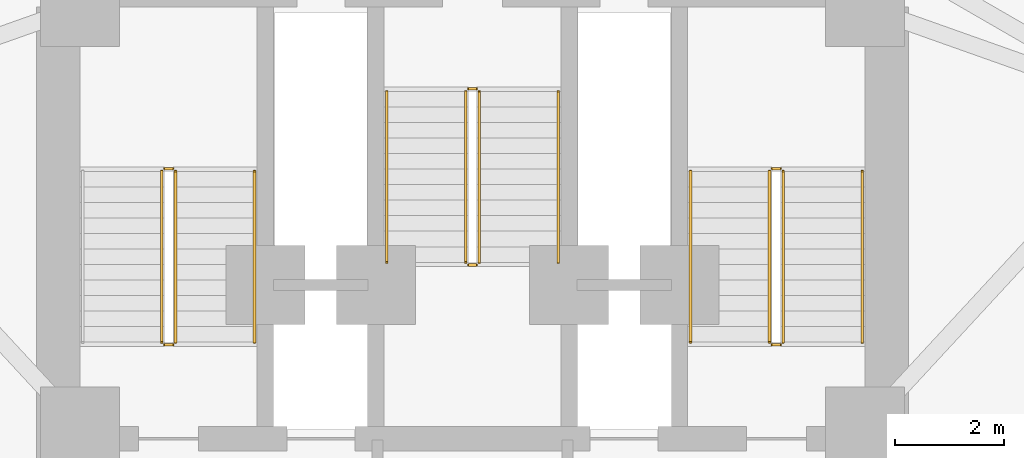
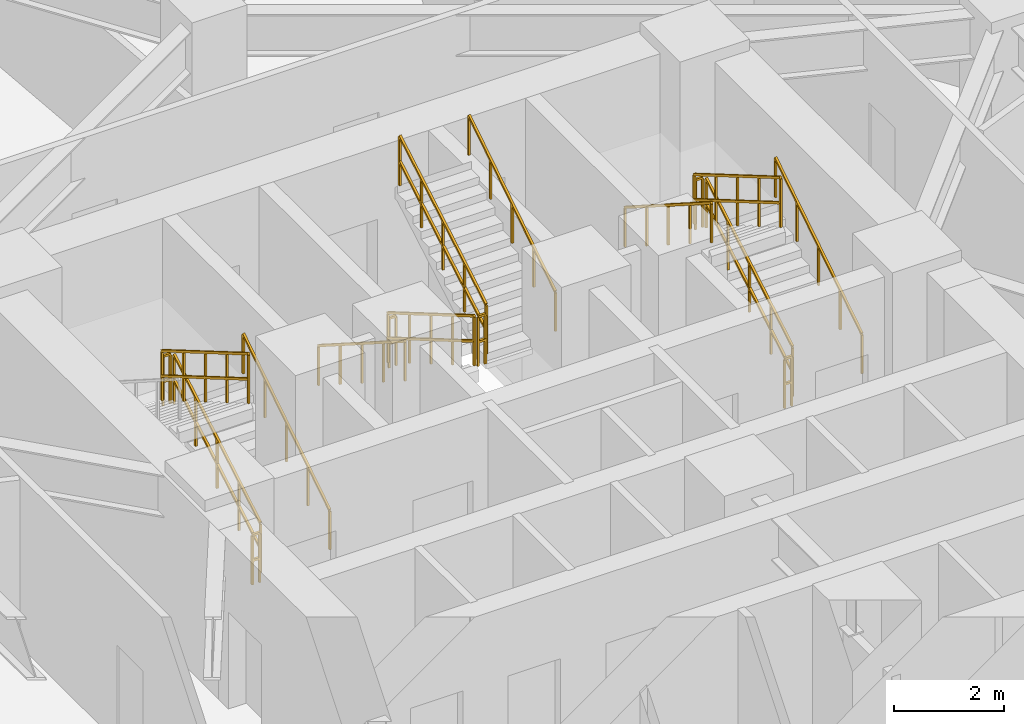
# One storey, part 8 of 9: 17 railings.
"""IFC4 building model written with IfcOpenShell, lengths in metres."""

import ifcopenshell
import ifcopenshell.guid

model = None  # the IFC model being written
_history = None  # IfcOwnerHistory: only IFC2X3 demands one
_inside = {}  # id of a spatial element -> (the spatial element, [elements in it])
_under = {}  # id of a project, library or spatial element -> (it, [spatial elements below it])
_declared = {}  # id of a project -> (the project, [libraries it declares])
_typed = {}  # id of a type object -> (the type object, [elements of that type])
_made_of = {}  # id of a material, layer set ... -> (it, [elements and type objects made of it])


def new_model(schema):
    """Start an empty IFC model of exactly this schema.

    Asked for "IFC4X3", IfcOpenShell would pick the latest addendum, in which some entities
    have other attributes; the version numbers below select the first issue.
    IFC2X3 requires an IfcOwnerHistory on every rooted entity: one is made here for all.
    """
    global model, _history
    if schema == "IFC4X3":
        model = ifcopenshell.file(schema_version=(4, 3, 0, 0))
    else:
        model = ifcopenshell.file(schema=schema)
    _inside.clear()
    _under.clear()
    _declared.clear()
    _typed.clear()
    _made_of.clear()
    _history = None
    if model.schema == "IFC2X3":
        org = make("IfcOrganization", Name="unknown")
        user = make(
            "IfcPersonAndOrganization",
            ThePerson=make("IfcPerson", FamilyName="unknown"),
            TheOrganization=org,
        )
        app = make(
            "IfcApplication",
            ApplicationDeveloper=org,
            Version="unknown",
            ApplicationFullName="unknown",
            ApplicationIdentifier="unknown",
        )
        _history = make(
            "IfcOwnerHistory",
            OwningUser=user,
            OwningApplication=app,
            ChangeAction="ADDED",
            CreationDate=0,
        )
    return model


def make(cls, **values):
    """One entity of the class cls with the attributes given. An attribute that is None is left unset."""
    return model.create_entity(
        cls, **{name: value for name, value in values.items() if value is not None}
    )


def rooted(cls, **values):
    """An entity with a GlobalId (a new one), such as an element, a storey or a relation."""
    return make(cls, GlobalId=ifcopenshell.guid.new(), OwnerHistory=_history, **values)


def si_unit(unit_type, name, prefix=None):
    """IfcSIUnit, for example si_unit("LENGTHUNIT", "METRE", prefix="MILLI")."""
    return make("IfcSIUnit", UnitType=unit_type, Prefix=prefix, Name=name)


def assignment(units):
    """IfcUnitAssignment: the units of a project."""
    return None if units is None else make("IfcUnitAssignment", Units=units)


def point(xyz):
    """IfcCartesianPoint."""
    return None if xyz is None else make("IfcCartesianPoint", Coordinates=xyz)


def direction(xyz):
    """IfcDirection."""
    return None if xyz is None else make("IfcDirection", DirectionRatios=xyz)


def frame(location, z_axis=None, x_axis=None):
    """IfcAxis2Placement3D, a coordinate frame: its origin and axes. An axis left out is left unset."""
    return make(
        "IfcAxis2Placement3D",
        Location=point(location),
        Axis=direction(z_axis),
        RefDirection=direction(x_axis),
    )


def frame_2d(location, x_axis=None):
    """IfcAxis2Placement2D, a coordinate frame in the plane: its origin and x axis."""
    return make(
        "IfcAxis2Placement2D", Location=point(location), RefDirection=direction(x_axis)
    )


def origin():
    """The frame at (0, 0, 0) with its axes left unset."""
    return frame((0.0, 0.0, 0.0))


def origin_2d():
    """The frame at (0, 0) in the plane with its x axis left unset."""
    return frame_2d((0.0, 0.0))


def place(relative_to, where):
    """IfcLocalPlacement: puts the frame where relative to a parent placement (None: the world)."""
    return make(
        "IfcLocalPlacement", PlacementRelTo=relative_to, RelativePlacement=where
    )


def context(
    kind, dimensions, precision=None, world=None, true_north=None, identifier=None
):
    """IfcGeometricRepresentationContext, for example the 3D "Model" context."""
    return make(
        "IfcGeometricRepresentationContext",
        ContextIdentifier=identifier,
        ContextType=kind,
        CoordinateSpaceDimension=dimensions,
        Precision=precision,
        WorldCoordinateSystem=world,
        TrueNorth=true_north,
    )


def subcontext(parent, identifier, kind, view, scale=None):
    """IfcGeometricRepresentationSubContext, for example "Body" below "Model"."""
    return make(
        "IfcGeometricRepresentationSubContext",
        ContextIdentifier=identifier,
        ContextType=kind,
        ParentContext=parent,
        TargetScale=scale,
        TargetView=view,
    )


def project(units=None, contexts=None):
    """IfcProject with its units and contexts."""
    return rooted(
        "IfcProject",
        Name="project",
        RepresentationContexts=contexts,
        UnitsInContext=assignment(units),
    )


def spatial(cls, under=None, at=None, **own):
    """A site, building, storey or space (cls), placed at a placement, below another one or the project."""
    s = rooted(cls, ObjectPlacement=at, **own)
    if under is not None:
        _under.setdefault(under.id(), (under, []))[1].append(s)
    return s


def profile(cls, at=None, kind="AREA", **sizes):
    """A parametric profile (cls). Its sizes go by their IFC names, for example OverallWidth=200.0."""
    return make(cls, ProfileType=kind, Position=at, **sizes)


def rectangle(**sizes):
    """IfcRectangleProfileDef."""
    return profile("IfcRectangleProfileDef", **sizes)


def extrude(swept, where, along, depth):
    """IfcExtrudedAreaSolid: the profile swept, set in the frame where, extruded along a direction by depth."""
    return make(
        "IfcExtrudedAreaSolid",
        SweptArea=swept,
        Position=where,
        ExtrudedDirection=direction(along),
        Depth=depth,
    )


def shape(context_of_items, identifier, shape_type, items):
    """IfcShapeRepresentation: the items that make up one representation, for example the "Body"."""
    return make(
        "IfcShapeRepresentation",
        ContextOfItems=context_of_items,
        RepresentationIdentifier=identifier,
        RepresentationType=shape_type,
        Items=items,
    )


def material(Name=None, Category=None):
    """IfcMaterial."""
    return make("IfcMaterial", Name=Name, Category=Category)


def made_of(thing, what):
    """Note that an element or type object is made of a material, layer set ...; save() writes the relation."""
    if what is not None:
        _made_of.setdefault(what.id(), (what, []))[1].append(thing)
    return thing


def type_object(cls, material=None, **own):
    """A type object (cls), such as IfcWallType, which elements share."""
    return made_of(rooted(cls, **own), material)


def element(
    cls,
    number,
    at=None,
    inside=None,
    cuts=None,
    type_object=None,
    material=None,
    context=None,
    identifier="Body",
    shape_type=None,
    held_by="IfcProductDefinitionShape",
    body=None,
    shapes=None,
    **own,
):
    """One element of the class cls, such as IfcWall. Its Tag is "e" and its number.

    at: its placement. inside: the storey or other place that contains it. cuts: it is an
    opening in that element (IfcRelVoidsElement). A single representation is given by context,
    identifier, shape_type and body (its items); several are given by shapes. held_by: the class
    of the entity that holds the representations. save() writes the other relations.
    """
    e = rooted(cls, Tag="e%d" % number, ObjectPlacement=at, **own)
    if body is not None:
        shapes = [shape(context, identifier, shape_type, body)]
    if shapes is not None:
        e.Representation = make(held_by, Representations=shapes)
    if inside is not None:
        _inside.setdefault(inside.id(), (inside, []))[1].append(e)
    if cuts is not None:
        rooted(
            "IfcRelVoidsElement", RelatingBuildingElement=cuts, RelatedOpeningElement=e
        )
    if type_object is not None:
        _typed.setdefault(type_object.id(), (type_object, []))[1].append(e)
    return made_of(e, material)


def aggregate(whole, parts):
    """IfcRelAggregates: a whole, such as a stair, and the parts it consists of."""
    return rooted("IfcRelAggregates", RelatingObject=whole, RelatedObjects=parts)


def save(model, path):
    """Write the relations noted so far, then the file.

    IfcRelAggregates (storeys below a building ...), IfcRelContainedInSpatialStructure (elements
    in a storey), IfcRelDefinesByType, IfcRelAssociatesMaterial and IfcRelDeclares: one each for
    every whole, place, type object, material and project.
    """
    for whole, parts in _under.values():
        aggregate(whole, parts)
    for where, things in _inside.values():
        rooted(
            "IfcRelContainedInSpatialStructure",
            RelatedElements=things,
            RelatingStructure=where,
        )
    for kind, things in _typed.values():
        rooted("IfcRelDefinesByType", RelatedObjects=things, RelatingType=kind)
    for what, things in _made_of.values():
        rooted("IfcRelAssociatesMaterial", RelatedObjects=things, RelatingMaterial=what)
    for by, libraries in _declared.values():
        rooted("IfcRelDeclares", RelatingContext=by, RelatedDefinitions=libraries)
    model.write(path)


model = new_model("IFC4")

# Units and contexts
model_context = context("Model", 3, precision=1e-05, world=origin(), true_north=direction((0.0, 1.0)))
body_context = subcontext(model_context, "Body", "Model", "MODEL_VIEW")
ifc_project = project(units=[si_unit("LENGTHUNIT", "METRE"), si_unit("AREAUNIT", "SQUARE_METRE"), si_unit("VOLUMEUNIT", "CUBIC_METRE"), si_unit("PLANEANGLEUNIT", "RADIAN"), si_unit("MASSUNIT", "GRAM", prefix="KILO")], contexts=[model_context])

# Site, building, storey
site_placement = place(None, origin())
site = spatial("IfcSite", under=ifc_project, at=site_placement, CompositionType="ELEMENT")
building_placement = place(site_placement, origin())
building = spatial("IfcBuilding", under=site, at=building_placement, Name="Apsidion Concourse Tower", CompositionType="ELEMENT")
storey_placement = place(building_placement, frame((0.0, 0.0, 103.0)))
storey = spatial("IfcBuildingStorey", under=building, at=storey_placement, Name="L23", CompositionType="ELEMENT", Elevation=103.0)

# Railings
ifc_material = material(Name="Brushed stainless steel 316", Category="steel")
railing_type_1 = type_object("IfcRailingType", Name="RL-GUARD-1100", PredefinedType="GUARDRAIL", material=ifc_material)
railing_1_placement = place(storey_placement, frame((-5.449951171875, 3.0, 0.166748046875)))
element("IfcRailing", 1, at=railing_1_placement, inside=storey, type_object=railing_type_1, Name="L23 ST1 stair guard 1", PredefinedType="GUARDRAIL", context=body_context, shape_type="SweptSolid", body=[
    extrude(rectangle(XDim=0.048095703125, YDim=0.048095703125, at=origin_2d()), frame((0.0, 0.0, 1.09619140625), z_axis=(0.0, 0.863239559939, 0.504794475164), x_axis=(-1.0, 0.0, 0.0)), (0.0, 0.0, 1.0), 3.631591796875),
    extrude(rectangle(XDim=0.048095703125, YDim=0.048095703125, at=origin_2d()), frame((0.0, 0.0, 0.5361328125), z_axis=(0.0, 0.863239559939, 0.504794475164), x_axis=(-1.0, 0.0, 0.0)), (0.0, 0.0, 1.0), 3.631591796875),
    extrude(rectangle(XDim=0.0419921875, YDim=0.0419921875, at=origin_2d()), origin(), (0.0, 0.0, 1.0), 1.072021484375),
    extrude(rectangle(XDim=0.0419921875, YDim=0.0419921875, at=origin_2d()), frame((0.0, 0.78369140625, 0.458251953125)), (0.0, 0.0, 1.0), 1.072021484375),
    extrude(rectangle(XDim=0.0419921875, YDim=0.0419921875, at=origin_2d()), frame((0.0, 1.5673828125, 0.91650390625)), (0.0, 0.0, 1.0), 1.072021484375),
    extrude(rectangle(XDim=0.0419921875, YDim=0.0419921875, at=origin_2d()), frame((0.0, 2.351318359375, 1.375)), (0.0, 0.0, 1.0), 1.072021484375),
    extrude(rectangle(XDim=0.0419921875, YDim=0.0419921875, at=origin_2d()), frame((0.0, 3.135009765625, 1.833251953125)), (0.0, 0.0, 1.0), 1.072021484375),
])
railing_2_placement = place(storey_placement, frame((-5.5, 6.18505859375, 2.0)))
element("IfcRailing", 2, at=railing_2_placement, inside=storey, type_object=railing_type_1, Name="L23 ST1 stair guard 2", PredefinedType="GUARDRAIL", context=body_context, shape_type="SweptSolid", body=[
    extrude(rectangle(XDim=0.048095703125, YDim=0.048095703125, at=origin_2d()), frame((0.0, 0.0, 1.09619140625), z_axis=(-1.0, 0.0, 0.0), x_axis=(0.0, -1.0, 0.0)), (0.0, 0.0, 1.0), 0.14990234375),
    extrude(rectangle(XDim=0.048095703125, YDim=0.048095703125, at=origin_2d()), frame((0.0, 0.0, 0.5361328125), z_axis=(-1.0, 0.0, 0.0), x_axis=(0.0, -1.0, 0.0)), (0.0, 0.0, 1.0), 0.14990234375),
    extrude(rectangle(XDim=0.0419921875, YDim=0.0419921875, at=origin_2d()), origin(), (0.0, 0.0, 1.0), 1.072021484375),
    extrude(rectangle(XDim=0.0419921875, YDim=0.0419921875, at=origin_2d()), frame((-0.14990234375, 0.0, 0.0)), (0.0, 0.0, 1.0), 1.072021484375),
])
railing_3_placement = place(storey_placement, frame((-5.699951171875, 6.135009765625, 2.166748046875)))
element("IfcRailing", 3, at=railing_3_placement, inside=storey, type_object=railing_type_1, Name="L23 ST1 stair guard 3", PredefinedType="GUARDRAIL", context=body_context, shape_type="SweptSolid", body=[
    extrude(rectangle(XDim=0.048095703125, YDim=0.048095703125, at=origin_2d()), frame((0.0, 0.0, 1.09619140625), z_axis=(0.0, -0.863239559939, 0.504794475164), x_axis=(1.0, 0.0, 0.0)), (0.0, 0.0, 1.0), 3.631591796875),
    extrude(rectangle(XDim=0.048095703125, YDim=0.048095703125, at=origin_2d()), frame((0.0, 0.0, 0.5361328125), z_axis=(0.0, -0.863239559939, 0.504794475164), x_axis=(1.0, 0.0, 0.0)), (0.0, 0.0, 1.0), 3.631591796875),
    extrude(rectangle(XDim=0.0419921875, YDim=0.0419921875, at=origin_2d()), origin(), (0.0, 0.0, 1.0), 1.072021484375),
    extrude(rectangle(XDim=0.0419921875, YDim=0.0419921875, at=origin_2d()), frame((0.0, -0.78369140625, 0.458251953125)), (0.0, 0.0, 1.0), 1.072021484375),
    extrude(rectangle(XDim=0.0419921875, YDim=0.0419921875, at=origin_2d()), frame((0.0, -1.5673828125, 0.91650390625)), (0.0, 0.0, 1.0), 1.072021484375),
    extrude(rectangle(XDim=0.0419921875, YDim=0.0419921875, at=origin_2d()), frame((0.0, -2.351318359375, 1.375)), (0.0, 0.0, 1.0), 1.072021484375),
    extrude(rectangle(XDim=0.0419921875, YDim=0.0419921875, at=origin_2d()), frame((0.0, -3.135009765625, 1.833251953125)), (0.0, 0.0, 1.0), 1.072021484375),
])
railing_4_placement = place(storey_placement, frame((-5.5, 2.949951171875, 0.0)))
element("IfcRailing", 4, at=railing_4_placement, inside=storey, type_object=railing_type_1, Name="L23 ST1 stair guard 4", PredefinedType="GUARDRAIL", context=body_context, shape_type="SweptSolid", body=[
    extrude(rectangle(XDim=0.048095703125, YDim=0.048095703125, at=origin_2d()), frame((0.0, 0.0, 1.09619140625), z_axis=(-1.0, 0.0, 0.0), x_axis=(0.0, -1.0, 0.0)), (0.0, 0.0, 1.0), 0.14990234375),
    extrude(rectangle(XDim=0.048095703125, YDim=0.048095703125, at=origin_2d()), frame((0.0, 0.0, 0.5361328125), z_axis=(-1.0, 0.0, 0.0), x_axis=(0.0, -1.0, 0.0)), (0.0, 0.0, 1.0), 0.14990234375),
    extrude(rectangle(XDim=0.0419921875, YDim=0.0419921875, at=origin_2d()), origin(), (0.0, 0.0, 1.0), 1.072021484375),
    extrude(rectangle(XDim=0.0419921875, YDim=0.0419921875, at=origin_2d()), frame((-0.14990234375, 0.0, 0.0)), (0.0, 0.0, 1.0), 1.072021484375),
])
railing_5_placement = place(storey_placement, frame((5.699951171875, 3.0, 0.166748046875)))
element("IfcRailing", 5, at=railing_5_placement, inside=storey, type_object=railing_type_1, Name="L23 ST2 stair guard 1", PredefinedType="GUARDRAIL", context=body_context, shape_type="SweptSolid", body=[
    extrude(rectangle(XDim=0.048095703125, YDim=0.048095703125, at=origin_2d()), frame((0.0, 0.0, 1.09619140625), z_axis=(0.0, 0.863239559939, 0.504794475164), x_axis=(-1.0, 0.0, 0.0)), (0.0, 0.0, 1.0), 3.631591796875),
    extrude(rectangle(XDim=0.048095703125, YDim=0.048095703125, at=origin_2d()), frame((0.0, 0.0, 0.5361328125), z_axis=(0.0, 0.863239559939, 0.504794475164), x_axis=(-1.0, 0.0, 0.0)), (0.0, 0.0, 1.0), 3.631591796875),
    extrude(rectangle(XDim=0.0419921875, YDim=0.0419921875, at=origin_2d()), origin(), (0.0, 0.0, 1.0), 1.072021484375),
    extrude(rectangle(XDim=0.0419921875, YDim=0.0419921875, at=origin_2d()), frame((0.0, 0.78369140625, 0.458251953125)), (0.0, 0.0, 1.0), 1.072021484375),
    extrude(rectangle(XDim=0.0419921875, YDim=0.0419921875, at=origin_2d()), frame((0.0, 1.5673828125, 0.91650390625)), (0.0, 0.0, 1.0), 1.072021484375),
    extrude(rectangle(XDim=0.0419921875, YDim=0.0419921875, at=origin_2d()), frame((0.0, 2.351318359375, 1.375)), (0.0, 0.0, 1.0), 1.072021484375),
    extrude(rectangle(XDim=0.0419921875, YDim=0.0419921875, at=origin_2d()), frame((0.0, 3.135009765625, 1.833251953125)), (0.0, 0.0, 1.0), 1.072021484375),
])
railing_6_placement = place(storey_placement, frame((5.64990234375, 6.18505859375, 2.0)))
element("IfcRailing", 6, at=railing_6_placement, inside=storey, type_object=railing_type_1, Name="L23 ST2 stair guard 2", PredefinedType="GUARDRAIL", context=body_context, shape_type="SweptSolid", body=[
    extrude(rectangle(XDim=0.048095703125, YDim=0.048095703125, at=origin_2d()), frame((0.0, 0.0, 1.09619140625), z_axis=(-1.0, 0.0, 0.0), x_axis=(0.0, -1.0, 0.0)), (0.0, 0.0, 1.0), 0.14990234375),
    extrude(rectangle(XDim=0.048095703125, YDim=0.048095703125, at=origin_2d()), frame((0.0, 0.0, 0.5361328125), z_axis=(-1.0, 0.0, 0.0), x_axis=(0.0, -1.0, 0.0)), (0.0, 0.0, 1.0), 0.14990234375),
    extrude(rectangle(XDim=0.0419921875, YDim=0.0419921875, at=origin_2d()), origin(), (0.0, 0.0, 1.0), 1.072021484375),
    extrude(rectangle(XDim=0.0419921875, YDim=0.0419921875, at=origin_2d()), frame((-0.14990234375, 0.0, 0.0)), (0.0, 0.0, 1.0), 1.072021484375),
])
railing_7_placement = place(storey_placement, frame((5.449951171875, 6.135009765625, 2.166748046875)))
element("IfcRailing", 7, at=railing_7_placement, inside=storey, type_object=railing_type_1, Name="L23 ST2 stair guard 3", PredefinedType="GUARDRAIL", context=body_context, shape_type="SweptSolid", body=[
    extrude(rectangle(XDim=0.048095703125, YDim=0.048095703125, at=origin_2d()), frame((0.0, 0.0, 1.09619140625), z_axis=(0.0, -0.863239559939, 0.504794475164), x_axis=(1.0, 0.0, 0.0)), (0.0, 0.0, 1.0), 3.631591796875),
    extrude(rectangle(XDim=0.048095703125, YDim=0.048095703125, at=origin_2d()), frame((0.0, 0.0, 0.5361328125), z_axis=(0.0, -0.863239559939, 0.504794475164), x_axis=(1.0, 0.0, 0.0)), (0.0, 0.0, 1.0), 3.631591796875),
    extrude(rectangle(XDim=0.0419921875, YDim=0.0419921875, at=origin_2d()), origin(), (0.0, 0.0, 1.0), 1.072021484375),
    extrude(rectangle(XDim=0.0419921875, YDim=0.0419921875, at=origin_2d()), frame((0.0, -0.78369140625, 0.458251953125)), (0.0, 0.0, 1.0), 1.072021484375),
    extrude(rectangle(XDim=0.0419921875, YDim=0.0419921875, at=origin_2d()), frame((0.0, -1.5673828125, 0.91650390625)), (0.0, 0.0, 1.0), 1.072021484375),
    extrude(rectangle(XDim=0.0419921875, YDim=0.0419921875, at=origin_2d()), frame((0.0, -2.351318359375, 1.375)), (0.0, 0.0, 1.0), 1.072021484375),
    extrude(rectangle(XDim=0.0419921875, YDim=0.0419921875, at=origin_2d()), frame((0.0, -3.135009765625, 1.833251953125)), (0.0, 0.0, 1.0), 1.072021484375),
])
railing_8_placement = place(storey_placement, frame((5.64990234375, 2.949951171875, 0.0)))
element("IfcRailing", 8, at=railing_8_placement, inside=storey, type_object=railing_type_1, Name="L23 ST2 stair guard 4", PredefinedType="GUARDRAIL", context=body_context, shape_type="SweptSolid", body=[
    extrude(rectangle(XDim=0.048095703125, YDim=0.048095703125, at=origin_2d()), frame((0.0, 0.0, 1.09619140625), z_axis=(-1.0, 0.0, 0.0), x_axis=(0.0, -1.0, 0.0)), (0.0, 0.0, 1.0), 0.14990234375),
    extrude(rectangle(XDim=0.048095703125, YDim=0.048095703125, at=origin_2d()), frame((0.0, 0.0, 0.5361328125), z_axis=(-1.0, 0.0, 0.0), x_axis=(0.0, -1.0, 0.0)), (0.0, 0.0, 1.0), 0.14990234375),
    extrude(rectangle(XDim=0.0419921875, YDim=0.0419921875, at=origin_2d()), origin(), (0.0, 0.0, 1.0), 1.072021484375),
    extrude(rectangle(XDim=0.0419921875, YDim=0.0419921875, at=origin_2d()), frame((-0.14990234375, 0.0, 0.0)), (0.0, 0.0, 1.0), 1.072021484375),
])
railing_9_placement = place(storey_placement, frame((-0.125, 7.60009765625, 0.166748046875)))
element("IfcRailing", 9, at=railing_9_placement, inside=storey, type_object=railing_type_1, Name="L23 ST3 stair guard 1", PredefinedType="GUARDRAIL", context=body_context, shape_type="SweptSolid", body=[
    extrude(rectangle(XDim=0.048095703125, YDim=0.048095703125, at=origin_2d()), frame((0.0, 0.0, 1.09619140625), z_axis=(0.0, -0.863239559939, 0.504794475164), x_axis=(1.0, 0.0, 0.0)), (0.0, 0.0, 1.0), 3.631591796875),
    extrude(rectangle(XDim=0.048095703125, YDim=0.048095703125, at=origin_2d()), frame((0.0, 0.0, 0.5361328125), z_axis=(0.0, -0.863239559939, 0.504794475164), x_axis=(1.0, 0.0, 0.0)), (0.0, 0.0, 1.0), 3.631591796875),
    extrude(rectangle(XDim=0.0419921875, YDim=0.0419921875, at=origin_2d()), origin(), (0.0, 0.0, 1.0), 1.072021484375),
    extrude(rectangle(XDim=0.0419921875, YDim=0.0419921875, at=origin_2d()), frame((0.0, -0.78369140625, 0.458251953125)), (0.0, 0.0, 1.0), 1.072021484375),
    extrude(rectangle(XDim=0.0419921875, YDim=0.0419921875, at=origin_2d()), frame((0.0, -1.5673828125, 0.91650390625)), (0.0, 0.0, 1.0), 1.072021484375),
    extrude(rectangle(XDim=0.0419921875, YDim=0.0419921875, at=origin_2d()), frame((0.0, -2.351318359375, 1.375)), (0.0, 0.0, 1.0), 1.072021484375),
    extrude(rectangle(XDim=0.0419921875, YDim=0.0419921875, at=origin_2d()), frame((0.0, -3.135009765625, 1.833251953125)), (0.0, 0.0, 1.0), 1.072021484375),
])
railing_10_placement = place(storey_placement, frame((-0.074951171875, 4.4150390625, 2.0)))
element("IfcRailing", 10, at=railing_10_placement, inside=storey, type_object=railing_type_1, Name="L23 ST3 stair guard 2", PredefinedType="GUARDRAIL", context=body_context, shape_type="SweptSolid", body=[
    extrude(rectangle(XDim=0.048095703125, YDim=0.048095703125, at=origin_2d()), frame((0.0, 0.0, 1.09619140625), z_axis=(1.0, 0.0, 0.0), x_axis=(0.0, 1.0, 0.0)), (0.0, 0.0, 1.0), 0.14990234375),
    extrude(rectangle(XDim=0.048095703125, YDim=0.048095703125, at=origin_2d()), frame((0.0, 0.0, 0.5361328125), z_axis=(1.0, 0.0, 0.0), x_axis=(0.0, 1.0, 0.0)), (0.0, 0.0, 1.0), 0.14990234375),
    extrude(rectangle(XDim=0.0419921875, YDim=0.0419921875, at=origin_2d()), origin(), (0.0, 0.0, 1.0), 1.072021484375),
    extrude(rectangle(XDim=0.0419921875, YDim=0.0419921875, at=origin_2d()), frame((0.14990234375, 0.0, 0.0)), (0.0, 0.0, 1.0), 1.072021484375),
])
railing_11_placement = place(storey_placement, frame((0.125, 4.465087890625, 2.166748046875)))
element("IfcRailing", 11, at=railing_11_placement, inside=storey, type_object=railing_type_1, Name="L23 ST3 stair guard 3", PredefinedType="GUARDRAIL", context=body_context, shape_type="SweptSolid", body=[
    extrude(rectangle(XDim=0.048095703125, YDim=0.048095703125, at=origin_2d()), frame((0.0, 0.0, 1.09619140625), z_axis=(0.0, 0.863239559939, 0.504794475164), x_axis=(-1.0, 0.0, 0.0)), (0.0, 0.0, 1.0), 3.631591796875),
    extrude(rectangle(XDim=0.048095703125, YDim=0.048095703125, at=origin_2d()), frame((0.0, 0.0, 0.5361328125), z_axis=(0.0, 0.863239559939, 0.504794475164), x_axis=(-1.0, 0.0, 0.0)), (0.0, 0.0, 1.0), 3.631591796875),
    extrude(rectangle(XDim=0.0419921875, YDim=0.0419921875, at=origin_2d()), origin(), (0.0, 0.0, 1.0), 1.072021484375),
    extrude(rectangle(XDim=0.0419921875, YDim=0.0419921875, at=origin_2d()), frame((0.0, 0.78369140625, 0.458251953125)), (0.0, 0.0, 1.0), 1.072021484375),
    extrude(rectangle(XDim=0.0419921875, YDim=0.0419921875, at=origin_2d()), frame((0.0, 1.5673828125, 0.91650390625)), (0.0, 0.0, 1.0), 1.072021484375),
    extrude(rectangle(XDim=0.0419921875, YDim=0.0419921875, at=origin_2d()), frame((0.0, 2.351318359375, 1.375)), (0.0, 0.0, 1.0), 1.072021484375),
    extrude(rectangle(XDim=0.0419921875, YDim=0.0419921875, at=origin_2d()), frame((0.0, 3.135009765625, 1.833251953125)), (0.0, 0.0, 1.0), 1.072021484375),
])
railing_12_placement = place(storey_placement, frame((-0.074951171875, 7.64990234375, 0.0)))
element("IfcRailing", 12, at=railing_12_placement, inside=storey, type_object=railing_type_1, Name="L23 ST3 stair guard 4", PredefinedType="GUARDRAIL", context=body_context, shape_type="SweptSolid", body=[
    extrude(rectangle(XDim=0.048095703125, YDim=0.048095703125, at=origin_2d()), frame((0.0, 0.0, 1.09619140625), z_axis=(1.0, 0.0, 0.0), x_axis=(0.0, 1.0, 0.0)), (0.0, 0.0, 1.0), 0.14990234375),
    extrude(rectangle(XDim=0.048095703125, YDim=0.048095703125, at=origin_2d()), frame((0.0, 0.0, 0.5361328125), z_axis=(1.0, 0.0, 0.0), x_axis=(0.0, 1.0, 0.0)), (0.0, 0.0, 1.0), 0.14990234375),
    extrude(rectangle(XDim=0.0419921875, YDim=0.0419921875, at=origin_2d()), origin(), (0.0, 0.0, 1.0), 1.072021484375),
    extrude(rectangle(XDim=0.0419921875, YDim=0.0419921875, at=origin_2d()), frame((0.14990234375, 0.0, 0.0)), (0.0, 0.0, 1.0), 1.072021484375),
])
railing_type_2 = type_object("IfcRailingType", Name="RL-HAND-900", PredefinedType="HANDRAIL", material=ifc_material)
for number, where, name in (
    (13, (-4.0, 3.0, 0.166748046875), "L23 ST1 stair handrail 1"),
    (14, (7.14990234375, 3.0, 0.166748046875), "L23 ST2 stair handrail 1"),
):
    element("IfcRailing", number, at=place(storey_placement, frame(where)), inside=storey, type_object=railing_type_2, Name=name, PredefinedType="HANDRAIL", context=body_context, shape_type="SweptSolid", body=[
        extrude(rectangle(XDim=0.048095703125, YDim=0.048095703125, at=origin_2d()), frame((0.0, 0.0, 0.8759765625), z_axis=(0.0, 0.843052688722, 0.537830980921), x_axis=(-1.0, 0.0, 0.0)), (0.0, 0.0, 1.0), 3.71875),
        extrude(rectangle(XDim=0.0419921875, YDim=0.0419921875, at=origin_2d()), origin(), (0.0, 0.0, 1.0), 0.851806640625),
        extrude(rectangle(XDim=0.0419921875, YDim=0.0419921875, at=origin_2d()), frame((0.0, 0.78369140625, 0.5)), (0.0, 0.0, 1.0), 0.851806640625),
        extrude(rectangle(XDim=0.0419921875, YDim=0.0419921875, at=origin_2d()), frame((0.0, 1.5673828125, 1.0)), (0.0, 0.0, 1.0), 0.851806640625),
        extrude(rectangle(XDim=0.0419921875, YDim=0.0419921875, at=origin_2d()), frame((0.0, 2.351318359375, 1.5)), (0.0, 0.0, 1.0), 0.851806640625),
        extrude(rectangle(XDim=0.0419921875, YDim=0.0419921875, at=origin_2d()), frame((0.0, 3.135009765625, 2.0)), (0.0, 0.0, 1.0), 0.851806640625),
    ])
for number, where, name in (
    (15, (4.0, 6.135009765625, 2.166748046875), "L23 ST2 stair handrail 2"),
    (16, (-1.574951171875, 7.60009765625, 0.166748046875), "L23 ST3 stair handrail 1"),
):
    element("IfcRailing", number, at=place(storey_placement, frame(where)), inside=storey, type_object=railing_type_2, Name=name, PredefinedType="HANDRAIL", context=body_context, shape_type="SweptSolid", body=[
        extrude(rectangle(XDim=0.048095703125, YDim=0.048095703125, at=origin_2d()), frame((0.0, 0.0, 0.8759765625), z_axis=(0.0, -0.843052688722, 0.537830980921), x_axis=(1.0, 0.0, 0.0)), (0.0, 0.0, 1.0), 3.71875),
        extrude(rectangle(XDim=0.0419921875, YDim=0.0419921875, at=origin_2d()), origin(), (0.0, 0.0, 1.0), 0.851806640625),
        extrude(rectangle(XDim=0.0419921875, YDim=0.0419921875, at=origin_2d()), frame((0.0, -0.78369140625, 0.5)), (0.0, 0.0, 1.0), 0.851806640625),
        extrude(rectangle(XDim=0.0419921875, YDim=0.0419921875, at=origin_2d()), frame((0.0, -1.5673828125, 1.0)), (0.0, 0.0, 1.0), 0.851806640625),
        extrude(rectangle(XDim=0.0419921875, YDim=0.0419921875, at=origin_2d()), frame((0.0, -2.351318359375, 1.5)), (0.0, 0.0, 1.0), 0.851806640625),
        extrude(rectangle(XDim=0.0419921875, YDim=0.0419921875, at=origin_2d()), frame((0.0, -3.135009765625, 2.0)), (0.0, 0.0, 1.0), 0.851806640625),
    ])
railing_13_placement = place(storey_placement, frame((1.574951171875, 4.465087890625, 2.166748046875)))
element("IfcRailing", 17, at=railing_13_placement, inside=storey, type_object=railing_type_2, Name="L23 ST3 stair handrail 2", PredefinedType="HANDRAIL", context=body_context, shape_type="SweptSolid", body=[
    extrude(rectangle(XDim=0.048095703125, YDim=0.048095703125, at=origin_2d()), frame((0.0, 0.0, 0.8759765625), z_axis=(0.0, 0.843052688722, 0.537830980921), x_axis=(-1.0, 0.0, 0.0)), (0.0, 0.0, 1.0), 3.71875),
    extrude(rectangle(XDim=0.0419921875, YDim=0.0419921875, at=origin_2d()), origin(), (0.0, 0.0, 1.0), 0.851806640625),
    extrude(rectangle(XDim=0.0419921875, YDim=0.0419921875, at=origin_2d()), frame((0.0, 0.78369140625, 0.5)), (0.0, 0.0, 1.0), 0.851806640625),
    extrude(rectangle(XDim=0.0419921875, YDim=0.0419921875, at=origin_2d()), frame((0.0, 1.5673828125, 1.0)), (0.0, 0.0, 1.0), 0.851806640625),
    extrude(rectangle(XDim=0.0419921875, YDim=0.0419921875, at=origin_2d()), frame((0.0, 2.351318359375, 1.5)), (0.0, 0.0, 1.0), 0.851806640625),
    extrude(rectangle(XDim=0.0419921875, YDim=0.0419921875, at=origin_2d()), frame((0.0, 3.135009765625, 2.0)), (0.0, 0.0, 1.0), 0.851806640625),
])

save(model, "model.ifc")
